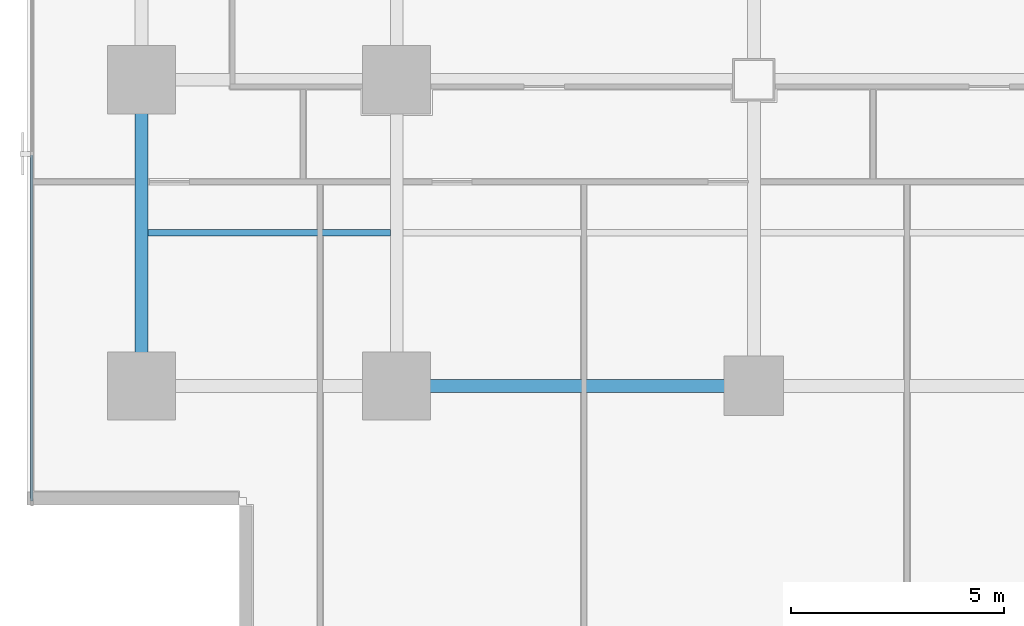
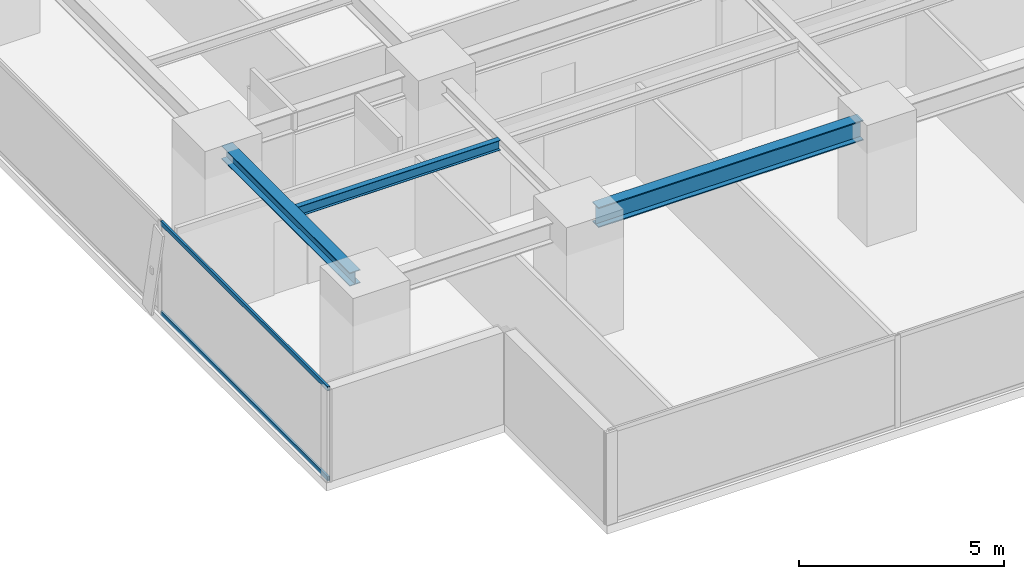
# One storey, part 3 of 37: 3 beams, 2 members, 1 element without a shape of its own.
"""IFC4 building model written with IfcOpenShell, lengths in metres."""

from ifc_helpers import new_model, si_unit, direction, frame, origin, origin_2d, place, context, subcontext, project, spatial, hollow_rectangle, i_section, extrude, source, transform, mapped, material, layer, layer_set, material_profile, profile_set, type_object, element, aggregate, save


model = new_model("IFC4")

# Units and contexts
model_context = context("Model", 3, precision=1e-05, world=origin(), true_north=direction((0.0, 1.0)))
body_context = subcontext(model_context, "Body", "Model", "MODEL_VIEW")
ifc_project = project(units=[si_unit("LENGTHUNIT", "METRE"), si_unit("AREAUNIT", "SQUARE_METRE"), si_unit("VOLUMEUNIT", "CUBIC_METRE"), si_unit("PLANEANGLEUNIT", "RADIAN"), si_unit("MASSUNIT", "GRAM", prefix="KILO")], contexts=[model_context])

# Site, building, storey
site_placement = place(None, origin())
site = spatial("IfcSite", under=ifc_project, at=site_placement, CompositionType="ELEMENT")
building_placement = place(site_placement, origin())
building = spatial("IfcBuilding", under=site, at=building_placement, Name="Sumidabori Civic Tower", CompositionType="ELEMENT")
storey_placement = place(building_placement, frame((0.0, 0.0, 81.199951171875)))
storey = spatial("IfcBuildingStorey", under=building, at=storey_placement, Name="L20", CompositionType="ELEMENT", Elevation=81.199951171875)

# Beams
ifc_material_1 = material(Name="Steel SN490", Category="steel")
ifc_material_profile_1 = material_profile(ifc_material_1, i_section(OverallWidth=0.300048828125, OverallDepth=0.60009765625, WebThickness=0.015380859375, FlangeThickness=0.030029296875, at=origin_2d()), Name="HE 600 B")
ifc_profile_set_1 = profile_set([ifc_material_profile_1], Name="Steel SN490")
beam_type_1 = type_object("IfcBeamType", Name="BM-GIRD-600", PredefinedType="BEAM", material=ifc_profile_set_1)
shared_shape_1 = source(origin(), body_context, "Body", "SweptSolid", [
    extrude(i_section(OverallWidth=0.300048828125, OverallDepth=0.60009765625, WebThickness=0.015380859375, FlangeThickness=0.030029296875, at=origin_2d()), origin(), (0.0, 0.0, 1.0), 7.440185546875),
])
beam_1_placement = place(storey_placement, frame((-16.320068359375, -18.0, 3.06005859375), z_axis=(1.0, 0.0, 0.0), x_axis=(0.0, 1.0, 0.0)))
element("IfcBeam", 1, at=beam_1_placement, inside=storey, type_object=beam_type_1, Name="Primary Girder L20 GX-02", PredefinedType="BEAM", context=body_context, shape_type="MappedRepresentation", body=[
    mapped(shared_shape_1, transform((0.0, 0.0, 0.0), x_axis=(1.0, 0.0, 0.0), y_axis=(0.0, 1.0, 0.0), z_axis=(0.0, 0.0, 1.0), scale=1.0)),
])
ifc_material_profile_2 = material_profile(ifc_material_1, i_section(OverallWidth=0.300048828125, OverallDepth=0.39990234375, WebThickness=0.013427734375, FlangeThickness=0.02392578125, at=origin_2d()), Name="HE 400 B")
ifc_profile_set_2 = profile_set([ifc_material_profile_2], Name="Steel SN490")
beam_type_2 = type_object("IfcBeamType", Name="BM-GIRD-400", PredefinedType="BEAM", material=ifc_profile_set_2)
shared_shape_2 = source(origin(), body_context, "Body", "SweptSolid", [
    extrude(i_section(OverallWidth=0.300048828125, OverallDepth=0.39990234375, WebThickness=0.013427734375, FlangeThickness=0.02392578125, at=origin_2d()), origin(), (0.0, 0.0, 1.0), 6.239990234375),
])
beam_2_placement = place(storey_placement, frame((-22.800048828125, -17.52001953125, 3.16015625), z_axis=(0.0, 1.0, 0.0), x_axis=(-1.0, 0.0, 0.0)))
element("IfcBeam", 2, at=beam_2_placement, inside=storey, type_object=beam_type_2, Name="Primary Girder L20 GY-21", PredefinedType="BEAM", context=body_context, shape_type="MappedRepresentation", body=[
    mapped(shared_shape_2, transform((0.0, 0.0, 0.0), x_axis=(1.0, 0.0, 0.0), y_axis=(0.0, 1.0, 0.0), z_axis=(0.0, 0.0, 1.0), scale=1.0)),
])
ifc_material_profile_3 = material_profile(ifc_material_1, i_section(OverallWidth=0.14990234375, OverallDepth=0.300048828125, WebThickness=0.007080078125, FlangeThickness=0.0107421875, at=origin_2d()), Name="IPE 300")
ifc_profile_set_3 = profile_set([ifc_material_profile_3], Name="Steel SN490")
beam_type_3 = type_object("IfcBeamType", Name="BM-JST-300", PredefinedType="JOIST", material=ifc_profile_set_3)
shared_shape_3 = source(origin(), body_context, "Body", "SweptSolid", [
    extrude(i_section(OverallWidth=0.14990234375, OverallDepth=0.300048828125, WebThickness=0.007080078125, FlangeThickness=0.0107421875, at=origin_2d()), origin(), (0.0, 0.0, 1.0), 5.699951171875),
])
beam_3_placement = place(storey_placement, frame((-22.64990234375, -14.39990234375, 3.2099609375), z_axis=(1.0, 0.0, 0.0), x_axis=(0.0, 1.0, 0.0)))
element("IfcBeam", 3, at=beam_3_placement, inside=storey, type_object=beam_type_3, Name="Outer Bay Floor Joist L20 JSTO-51", PredefinedType="JOIST", context=body_context, shape_type="MappedRepresentation", body=[
    mapped(shared_shape_3, transform((0.0, 0.0, 0.0), x_axis=(1.0, 0.0, 0.0), y_axis=(0.0, 1.0, 0.0), z_axis=(0.0, 0.0, 1.0), scale=1.0)),
])

# Curtain wall, members
ifc_material_2 = material(Name="Anodised Bronze Aluminium AW-6063-T6", Category="aluminium")
ifc_layer = layer(ifc_material_2, 0.179931640625, Name="Anodised Bronze Aluminium AW-6063-T6")
ifc_layer_set = layer_set([ifc_layer], Name="Anodised Bronze Aluminium AW-6063-T6")
curtain_wall_type = type_object("IfcCurtainWallType", Name="CW-SYS-3", PredefinedType="NOTDEFINED", material=ifc_layer_set)
curtain_wall_placement = place(storey_placement, origin())
curtain_wall = element("IfcCurtainWall", 4, at=curtain_wall_placement, inside=storey, type_object=curtain_wall_type, Name="Curtain Wall CW:L20:R10", PredefinedType="NOTDEFINED")
ifc_material_profile_4 = material_profile(ifc_material_2, hollow_rectangle(XDim=0.06005859375, YDim=0.1298828125, WallThickness=0.0048828125, at=origin_2d()), Name="ALU TRANSOM 130x60")
ifc_profile_set_4 = profile_set([ifc_material_profile_4], Name="Anodised Bronze Aluminium AW-6063-T6")
member_type = type_object("IfcMemberType", Name="CW-TRN-130", PredefinedType="USERDEFINED", material=ifc_profile_set_4)
shared_shape_4 = source(origin(), body_context, "Body", "SweptSolid", [
    extrude(hollow_rectangle(XDim=0.06005859375, YDim=0.1298828125, WallThickness=0.0048828125, at=origin_2d()), origin(), (0.0, 0.0, 1.0), 8.130615234375),
])
member_1_placement = place(storey_placement, frame((-25.3798828125, -12.574462890625, 0.030029296875), z_axis=(0.0, -1.0, 0.0), x_axis=(1.0, 0.0, 0.0)))
member_1 = element("IfcMember", 5, at=member_1_placement, type_object=member_type, Name="CW-3 transom 5.1", ObjectType="TRANSOM", PredefinedType="USERDEFINED", context=body_context, shape_type="MappedRepresentation", body=[
    mapped(shared_shape_4, transform((0.0, 0.0, 0.0), x_axis=(1.0, 0.0, 0.0), y_axis=(0.0, 1.0, 0.0), z_axis=(0.0, 0.0, 1.0), scale=1.0)),
])
member_2_placement = place(storey_placement, frame((-25.3798828125, -12.574462890625, 2.7099609375), z_axis=(0.0, -1.0, 0.0), x_axis=(1.0, 0.0, 0.0)))
member_2 = element("IfcMember", 6, at=member_2_placement, type_object=member_type, Name="CW-3 transom 5.2", ObjectType="TRANSOM", PredefinedType="USERDEFINED", context=body_context, shape_type="MappedRepresentation", body=[
    mapped(shared_shape_4, transform((0.0, 0.0, 0.0), x_axis=(1.0, 0.0, 0.0), y_axis=(0.0, 1.0, 0.0), z_axis=(0.0, 0.0, 1.0), scale=1.0)),
])
aggregate(curtain_wall, [member_1, member_2])

save(model, "model.ifc")
